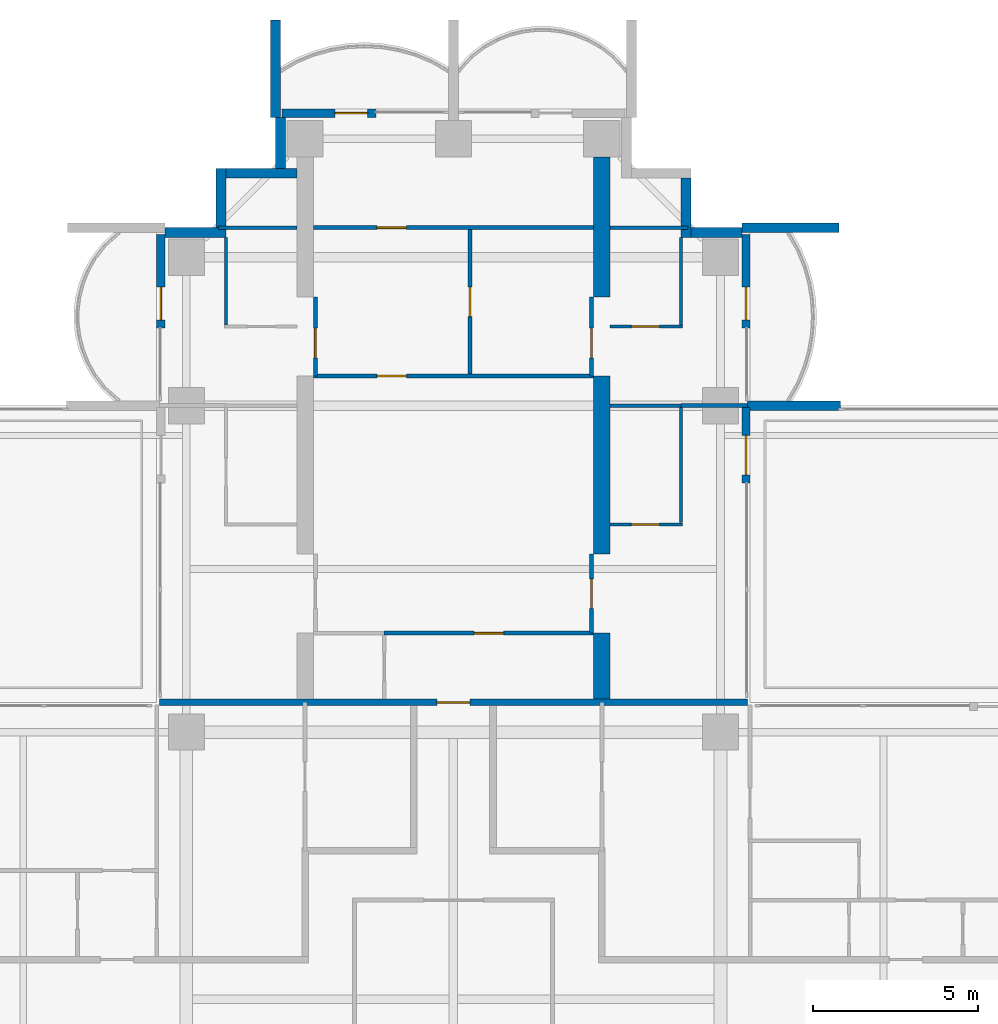
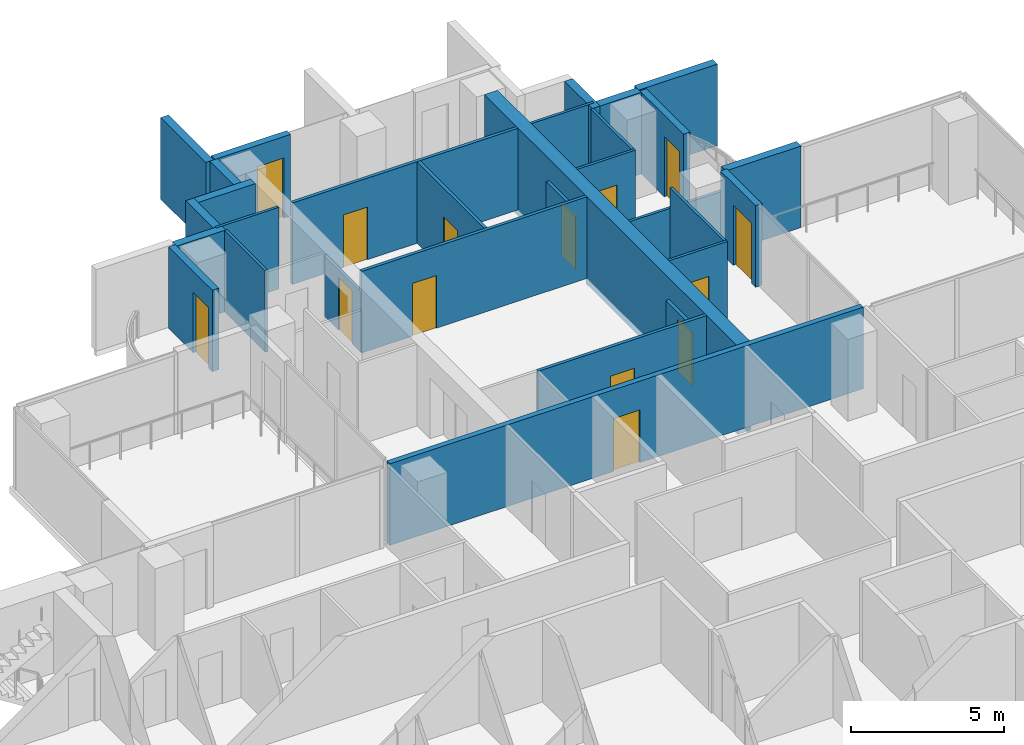
# One storey, part 14 of 19: 31 walls, 14 doors, 14 openings.
"""IFC4 building model written with IfcOpenShell, lengths in metres."""

from ifc_helpers import new_model, si_unit, direction, frame, frame_2d, origin, place, context, subcontext, project, spatial, polyline, rectangle, outline, extrude, material, layer, layer_set, material_profile, profile_set, type_object, element, fill, save


model = new_model("IFC4")

# Units and contexts
model_context = context("Model", 3, precision=1e-05, world=origin(), true_north=direction((0.0, 1.0)))
body_context = subcontext(model_context, "Body", "Model", "MODEL_VIEW")
ifc_project = project(units=[si_unit("LENGTHUNIT", "METRE"), si_unit("AREAUNIT", "SQUARE_METRE"), si_unit("VOLUMEUNIT", "CUBIC_METRE"), si_unit("PLANEANGLEUNIT", "RADIAN"), si_unit("MASSUNIT", "GRAM", prefix="KILO")], contexts=[model_context])

# Site, building, storey
site_placement = place(None, origin())
site = spatial("IfcSite", under=ifc_project, at=site_placement, CompositionType="ELEMENT")
building_placement = place(site_placement, origin())
building = spatial("IfcBuilding", under=site, at=building_placement, Name="Perihelion Cross Residences", CompositionType="ELEMENT")
storey_placement = place(building_placement, frame((0.0, 0.0, 144.39990234375)))
storey = spatial("IfcBuildingStorey", under=building, at=storey_placement, Name="L35", CompositionType="ELEMENT", Elevation=144.39990234375)

# Wall, opening, door
ifc_material_1 = material(Name="Plasterboard partition")
ifc_layer_1 = layer(ifc_material_1, 0.199951171875)
ifc_layer_set_1 = layer_set([ifc_layer_1], Name="Apartment separation wall 200")
wall_type_1 = type_object("IfcWallType", Name="Apartment separation wall 200", PredefinedType="PARTITIONING", material=ifc_layer_set_1)
wall_1_placement = place(storey_placement, frame((-8.919921875, 9.0, 0.0), z_axis=(0.0, 0.0, 1.0), x_axis=(1.0, 0.0, 0.0)))
wall_1 = element("IfcWall", 1, at=wall_1_placement, inside=storey, type_object=wall_type_1, Name="Partition L35 W021", PredefinedType="PARTITIONING", context=body_context, shape_type="SweptSolid", body=[
    extrude(rectangle(XDim=17.83984375, YDim=0.199951171875, at=frame_2d((8.919921875, 0.0))), origin(), (0.0, 0.0, 1.0), 3.25),
])
opening_1_placement = place(wall_1_placement, frame((8.419921875, 0.0, 0.0)))
opening_1 = element("IfcOpeningElement", 2, at=opening_1_placement, cuts=wall_1, Name="Opening L35.A34", PredefinedType="OPENING", context=body_context, shape_type="SweptSolid", body=[
    extrude(rectangle(XDim=1.0, YDim=2.10009765625, at=frame_2d((0.5, 1.050048828125))), frame((0.0, 0.10986328125, 0.0), z_axis=(0.0, -1.0, 0.0), x_axis=(1.0, 0.0, 0.0)), (0.0, 0.0, 1.0), 0.219970703125),
])
ifc_material_2 = material(Name="Timber door leaf", Category="wood")
door_type_1 = type_object("IfcDoorType", Name="Flat entrance door 1000 x 2100", OperationType="SINGLE_SWING_LEFT", PredefinedType="DOOR", material=ifc_material_2)
door_1_placement = place(opening_1_placement, origin())
door_1 = element("IfcDoor", 3, at=door_1_placement, inside=storey, type_object=door_type_1, Name="Door L35.A34", OperationType="SINGLE_SWING_RIGHT", OverallHeight=2.10009765625, OverallWidth=1.0, PredefinedType="DOOR", context=body_context, shape_type="SweptSolid", body=[
    extrude(rectangle(XDim=1.0, YDim=2.10009765625, at=frame_2d((0.5, 1.050048828125))), frame((0.0, 0.02490234375, 0.0), z_axis=(0.0, -1.0, 0.0), x_axis=(1.0, 0.0, 0.0)), (0.0, 0.0, 1.0), 0.050048828125),
])
fill(opening_1, door_1)

ifc_material_3 = material(Name="Concrete C30/37, bronze-clad", Category="concrete")
ifc_layer_2 = layer(ifc_material_3, 0.25)
ifc_layer_set_2 = layer_set([ifc_layer_2], Name="Bronze-clad pier wall 250")
wall_type_2 = type_object("IfcWallType", Name="Bronze-clad pier wall 250", PredefinedType="SOLIDWALL", material=ifc_layer_set_2)
wall_2_placement = place(storey_placement, frame((8.875, 15.64990234375, 0.0), z_axis=(0.0, 0.0, 1.0), x_axis=(0.0, 1.0, 0.0)))
wall_2 = element("IfcWall", 4, at=wall_2_placement, inside=storey, type_object=wall_type_2, Name="Wall FW1 L35 north side east bay 1 pier", PredefinedType="SOLIDWALL", context=body_context, shape_type="SweptSolid", body=[
    extrude(rectangle(XDim=2.2900390625, YDim=0.25, at=frame_2d((1.14501953125, 0.0))), origin(), (0.0, 0.0, 1.0), 3.25),
])
opening_2_placement = place(wall_2_placement, frame((0.25, 0.0, 0.0)))
opening_2 = element("IfcOpeningElement", 5, at=opening_2_placement, cuts=wall_2, Name="Opening L35.E02", PredefinedType="OPENING", context=body_context, shape_type="SweptSolid", body=[
    extrude(rectangle(XDim=1.199951171875, YDim=2.39990234375, at=frame_2d((0.60009765625, 1.199951171875))), frame((0.0, 0.135009765625, 0.0), z_axis=(0.0, -1.0, 0.0), x_axis=(1.0, 0.0, 0.0)), (0.0, 0.0, 1.0), 0.27001953125),
])
ifc_material_4 = material(Name="Bronze anodised aluminium, glazed", Category="aluminium")
door_type_2 = type_object("IfcDoorType", Name="Balcony door 1200 x 2400", OperationType="NOTDEFINED", PredefinedType="DOOR", material=ifc_material_4)
door_2_placement = place(opening_2_placement, origin())
door_2 = element("IfcDoor", 6, at=door_2_placement, inside=storey, type_object=door_type_2, Name="Door L35.E02 north side east bay 1", OperationType="SINGLE_SWING_LEFT", OverallHeight=2.39990234375, OverallWidth=1.199951171875, PredefinedType="DOOR", context=body_context, shape_type="SweptSolid", body=[
    extrude(rectangle(XDim=1.199951171875, YDim=2.39990234375, at=frame_2d((0.60009765625, 1.199951171875))), frame((0.0, 0.02490234375, 0.0), z_axis=(0.0, -1.0, 0.0), x_axis=(1.0, 0.0, 0.0)), (0.0, 0.0, 1.0), 0.050048828125),
])
fill(opening_2, door_2)

wall_3_placement = place(storey_placement, frame((8.875, 20.35009765625, 0.0), z_axis=(0.0, 0.0, 1.0), x_axis=(0.0, 1.0, 0.0)))
wall_3 = element("IfcWall", 7, at=wall_3_placement, inside=storey, type_object=wall_type_2, Name="Wall FW1 L35 north side east bay 2 pier", PredefinedType="SOLIDWALL", context=body_context, shape_type="SweptSolid", body=[
    extrude(rectangle(XDim=2.849853515625, YDim=0.25, at=frame_2d((1.4248046875, 0.0))), origin(), (0.0, 0.0, 1.0), 3.25),
])
opening_3_placement = place(wall_3_placement, frame((0.25, 0.0, 0.0)))
opening_3 = element("IfcOpeningElement", 8, at=opening_3_placement, cuts=wall_3, Name="Opening L35.E03", PredefinedType="OPENING", context=body_context, shape_type="SweptSolid", body=[
    extrude(rectangle(XDim=1.0, YDim=2.39990234375, at=frame_2d((0.5, 1.199951171875))), frame((0.0, 0.135009765625, 0.0), z_axis=(0.0, -1.0, 0.0), x_axis=(1.0, 0.0, 0.0)), (0.0, 0.0, 1.0), 0.27001953125),
])
ifc_material_5 = material(Name="Bronze anodised aluminium, glazed", Category="aluminium")
door_type_3 = type_object("IfcDoorType", Name="Balcony door 1000 x 2400", OperationType="NOTDEFINED", PredefinedType="DOOR", material=ifc_material_5)
door_3_placement = place(opening_3_placement, origin())
door_3 = element("IfcDoor", 9, at=door_3_placement, inside=storey, type_object=door_type_3, Name="Door L35.E03 north side east bay 2", OperationType="SINGLE_SWING_RIGHT", OverallHeight=2.39990234375, OverallWidth=1.0, PredefinedType="DOOR", context=body_context, shape_type="SweptSolid", body=[
    extrude(rectangle(XDim=1.0, YDim=2.39990234375, at=frame_2d((0.5, 1.199951171875))), frame((0.0, 0.02490234375, 0.0), z_axis=(0.0, -1.0, 0.0), x_axis=(1.0, 0.0, 0.0)), (0.0, 0.0, 1.0), 0.050048828125),
])
fill(opening_3, door_3)

wall_4_placement = place(storey_placement, frame((-2.35009765625, 26.875, 0.0), z_axis=(0.0, 0.0, 1.0), x_axis=(-1.0, 0.0, 0.0)))
wall_4 = element("IfcWall", 10, at=wall_4_placement, inside=storey, type_object=wall_type_2, Name="Wall FW1 L35 north tip north bay 2 pier", PredefinedType="SOLIDWALL", context=body_context, shape_type="SweptSolid", body=[
    extrude(rectangle(XDim=2.849853515625, YDim=0.25, at=frame_2d((1.4248046875, 0.0))), origin(), (0.0, 0.0, 1.0), 3.25),
])
opening_4_placement = place(wall_4_placement, frame((0.25, 0.0, 0.0)))
opening_4 = element("IfcOpeningElement", 11, at=opening_4_placement, cuts=wall_4, Name="Opening L35.E05", PredefinedType="OPENING", context=body_context, shape_type="SweptSolid", body=[
    extrude(rectangle(XDim=1.0, YDim=2.39990234375, at=frame_2d((0.5, 1.199951171875))), frame((0.0, 0.135009765625, 0.0), z_axis=(0.0, -1.0, 0.0), x_axis=(1.0, 0.0, 0.0)), (0.0, 0.0, 1.0), 0.27001953125),
])
door_4_placement = place(opening_4_placement, origin())
door_4 = element("IfcDoor", 12, at=door_4_placement, inside=storey, type_object=door_type_3, Name="Door L35.E05 north tip north bay 2", OperationType="SINGLE_SWING_RIGHT", OverallHeight=2.39990234375, OverallWidth=1.0, PredefinedType="DOOR", context=body_context, shape_type="SweptSolid", body=[
    extrude(rectangle(XDim=1.0, YDim=2.39990234375, at=frame_2d((0.5, 1.199951171875))), frame((0.0, 0.02490234375, 0.0), z_axis=(0.0, -1.0, 0.0), x_axis=(1.0, 0.0, 0.0)), (0.0, 0.0, 1.0), 0.050048828125),
])
fill(opening_4, door_4)

wall_5_placement = place(storey_placement, frame((-8.875, 23.199951171875, 0.0), z_axis=(0.0, 0.0, 1.0), x_axis=(0.0, -1.0, 0.0)))
wall_5 = element("IfcWall", 13, at=wall_5_placement, inside=storey, type_object=wall_type_2, Name="Wall FW1 L35 north side west bay 1 pier", PredefinedType="SOLIDWALL", context=body_context, shape_type="SweptSolid", body=[
    extrude(rectangle(XDim=2.849853515625, YDim=0.25, at=frame_2d((1.4248046875, 0.0))), origin(), (0.0, 0.0, 1.0), 3.25),
])
opening_5_placement = place(wall_5_placement, frame((1.60009765625, 0.0, 0.0)))
opening_5 = element("IfcOpeningElement", 14, at=opening_5_placement, cuts=wall_5, Name="Opening L35.E06", PredefinedType="OPENING", context=body_context, shape_type="SweptSolid", body=[
    extrude(rectangle(XDim=1.0, YDim=2.39990234375, at=frame_2d((0.5, 1.199951171875))), frame((0.0, 0.135009765625, 0.0), z_axis=(0.0, -1.0, 0.0), x_axis=(1.0, 0.0, 0.0)), (0.0, 0.0, 1.0), 0.27001953125),
])
door_5_placement = place(opening_5_placement, origin())
door_5 = element("IfcDoor", 15, at=door_5_placement, inside=storey, type_object=door_type_3, Name="Door L35.E06 north side west bay 1", OperationType="SINGLE_SWING_LEFT", OverallHeight=2.39990234375, OverallWidth=1.0, PredefinedType="DOOR", context=body_context, shape_type="SweptSolid", body=[
    extrude(rectangle(XDim=1.0, YDim=2.39990234375, at=frame_2d((0.5, 1.199951171875))), frame((0.0, 0.02490234375, 0.0), z_axis=(0.0, -1.0, 0.0), x_axis=(1.0, 0.0, 0.0)), (0.0, 0.0, 1.0), 0.050048828125),
])
fill(opening_5, door_5)

# Walls
ifc_material_6 = material(Name="Concrete C30/37, bronze-clad", Category="concrete")
ifc_layer_3 = layer(ifc_material_6, 0.300048828125)
ifc_layer_set_3 = layer_set([ifc_layer_3], Name="Bronze-clad serration wall 300")
wall_type_3 = type_object("IfcWallType", Name="Bronze-clad serration wall 300", PredefinedType="SOLIDWALL", material=ifc_layer_set_3)
wall_6_placement = place(storey_placement, frame((8.75, 23.25, 0.0), z_axis=(0.0, 0.0, 1.0), x_axis=(-1.0, 0.0, 0.0)))
element("IfcWall", 16, at=wall_6_placement, inside=storey, type_object=wall_type_3, Name="Wall SR1 L35 north corner north-east 1", PredefinedType="SOLIDWALL", context=body_context, shape_type="SweptSolid", body=[
    extrude(rectangle(XDim=1.550048828125, YDim=0.300048828125, at=frame_2d((0.77490234375, 0.0))), origin(), (0.0, 0.0, 1.0), 3.25),
])
wall_7_placement = place(storey_placement, frame((7.050048828125, 23.10009765625, 0.0), z_axis=(0.0, 0.0, 1.0), x_axis=(0.0, 1.0, 0.0)))
element("IfcWall", 17, at=wall_7_placement, inside=storey, type_object=wall_type_3, Name="Wall SR1 L35 north corner north-east 2", PredefinedType="SOLIDWALL", context=body_context, shape_type="SweptSolid", body=[
    extrude(rectangle(XDim=1.7998046875, YDim=0.300048828125, at=frame_2d((0.89990234375, 0.0))), origin(), (0.0, 0.0, 1.0), 3.25),
])
wall_8_placement = place(storey_placement, frame((-5.25, 26.75, 0.0), z_axis=(0.0, 0.0, 1.0), x_axis=(0.0, -1.0, 0.0)))
element("IfcWall", 18, at=wall_8_placement, inside=storey, type_object=wall_type_3, Name="Wall SR1 L35 north corner north-west 1", PredefinedType="SOLIDWALL", context=body_context, shape_type="SweptSolid", body=[
    extrude(rectangle(XDim=1.550048828125, YDim=0.300048828125, at=frame_2d((0.77490234375, 0.0))), origin(), (0.0, 0.0, 1.0), 3.25),
])
wall_9_placement = place(storey_placement, frame((-4.75, 25.050048828125, 0.0), z_axis=(0.0, 0.0, 1.0), x_axis=(-1.0, 0.0, 0.0)))
element("IfcWall", 19, at=wall_9_placement, inside=storey, type_object=wall_type_3, Name="Wall SR1 L35 north corner north-west 2", PredefinedType="SOLIDWALL", context=body_context, shape_type="SweptSolid", body=[
    extrude(rectangle(XDim=2.14990234375, YDim=0.300048828125, at=frame_2d((1.074951171875, 0.0))), origin(), (0.0, 0.0, 1.0), 3.25),
])
wall_10_placement = place(storey_placement, frame((-7.050048828125, 25.199951171875, 0.0), z_axis=(0.0, 0.0, 1.0), x_axis=(0.0, -1.0, 0.0)))
element("IfcWall", 20, at=wall_10_placement, inside=storey, type_object=wall_type_3, Name="Wall SR1 L35 north corner north-west 3", PredefinedType="SOLIDWALL", context=body_context, shape_type="SweptSolid", body=[
    extrude(rectangle(XDim=1.800048828125, YDim=0.300048828125, at=frame_2d((0.89990234375, 0.0))), origin(), (0.0, 0.0, 1.0), 3.25),
])
wall_11_placement = place(storey_placement, frame((-6.89990234375, 23.25, 0.0), z_axis=(0.0, 0.0, 1.0), x_axis=(-1.0, 0.0, 0.0)))
element("IfcWall", 21, at=wall_11_placement, inside=storey, type_object=wall_type_3, Name="Wall SR1 L35 north corner north-west 4", PredefinedType="SOLIDWALL", context=body_context, shape_type="SweptSolid", body=[
    extrude(rectangle(XDim=1.85009765625, YDim=0.300048828125, at=frame_2d((0.925048828125, 0.0))), origin(), (0.0, 0.0, 1.0), 3.25),
])

# Wall, opening, door
ifc_material_7 = material(Name="Plasterboard partition")
ifc_layer_4 = layer(ifc_material_7, 0.1201171875)
ifc_layer_set_4 = layer_set([ifc_layer_4], Name="Infill panel 120")
wall_type_4 = type_object("IfcWallType", Name="Infill panel 120", PredefinedType="PARTITIONING", material=ifc_layer_set_4)
wall_12_placement = place(storey_placement, frame((4.18994140625, 11.10009765625, 0.0), z_axis=(0.0, 0.0, 1.0), x_axis=(0.0, 1.0, 0.0)))
wall_12 = element("IfcWall", 22, at=wall_12_placement, inside=storey, type_object=wall_type_4, Name="Partition L35 WI01", PredefinedType="PARTITIONING", context=body_context, shape_type="SweptSolid", body=[
    extrude(rectangle(XDim=2.39990234375, YDim=0.1201171875, at=frame_2d((1.199951171875, 0.0))), origin(), (0.0, 0.0, 1.0), 2.400146484375),
])
opening_6_placement = place(wall_12_placement, frame((0.75, 0.0, 0.0)))
opening_6 = element("IfcOpeningElement", 23, at=opening_6_placement, cuts=wall_12, Name="Opening L35.A54", PredefinedType="OPENING", context=body_context, shape_type="SweptSolid", body=[
    extrude(rectangle(XDim=0.89990234375, YDim=2.10009765625, at=frame_2d((0.449951171875, 1.050048828125))), frame((0.0, 0.070068359375, 0.0), z_axis=(0.0, -1.0, 0.0), x_axis=(1.0, 0.0, 0.0)), (0.0, 0.0, 1.0), 0.14013671875),
])
ifc_material_8 = material(Name="Timber door leaf", Category="wood")
door_type_4 = type_object("IfcDoorType", Name="Interior room door 900 x 2100", OperationType="SINGLE_SWING_LEFT", PredefinedType="DOOR", material=ifc_material_8)
door_6_placement = place(opening_6_placement, origin())
door_6 = element("IfcDoor", 24, at=door_6_placement, inside=storey, type_object=door_type_4, Name="Door L35.A54", OperationType="SINGLE_SWING_RIGHT", OverallHeight=2.10009765625, OverallWidth=0.89990234375, PredefinedType="DOOR", context=body_context, shape_type="SweptSolid", body=[
    extrude(rectangle(XDim=0.89990234375, YDim=2.10009765625, at=frame_2d((0.449951171875, 1.050048828125))), frame((0.0, 0.02490234375, 0.0), z_axis=(0.0, -1.0, 0.0), x_axis=(1.0, 0.0, 0.0)), (0.0, 0.0, 1.0), 0.050048828125),
])
fill(opening_6, door_6)

wall_13_placement = place(storey_placement, frame((4.18994140625, 18.89990234375, 0.0), z_axis=(0.0, 0.0, 1.0), x_axis=(0.0, 1.0, 0.0)))
wall_13 = element("IfcWall", 25, at=wall_13_placement, inside=storey, type_object=wall_type_4, Name="Partition L35 WI02", PredefinedType="PARTITIONING", context=body_context, shape_type="SweptSolid", body=[
    extrude(rectangle(XDim=2.400146484375, YDim=0.1201171875, at=frame_2d((1.2001953125, 0.0))), origin(), (0.0, 0.0, 1.0), 2.400146484375),
])
opening_7_placement = place(wall_13_placement, frame((0.550048828125, 0.0, 0.0)))
opening_7 = element("IfcOpeningElement", 26, at=opening_7_placement, cuts=wall_13, Name="Opening L35.A55", PredefinedType="OPENING", context=body_context, shape_type="SweptSolid", body=[
    extrude(rectangle(XDim=0.89990234375, YDim=2.10009765625, at=frame_2d((0.449951171875, 1.050048828125))), frame((0.0, 0.070068359375, 0.0), z_axis=(0.0, -1.0, 0.0), x_axis=(1.0, 0.0, 0.0)), (0.0, 0.0, 1.0), 0.14013671875),
])
door_7_placement = place(opening_7_placement, origin())
door_7 = element("IfcDoor", 27, at=door_7_placement, inside=storey, type_object=door_type_4, Name="Door L35.A55", OperationType="SINGLE_SWING_LEFT", OverallHeight=2.10009765625, OverallWidth=0.89990234375, PredefinedType="DOOR", context=body_context, shape_type="SweptSolid", body=[
    extrude(rectangle(XDim=0.89990234375, YDim=2.10009765625, at=frame_2d((0.449951171875, 1.050048828125))), frame((0.0, 0.02490234375, 0.0), z_axis=(0.0, -1.0, 0.0), x_axis=(1.0, 0.0, 0.0)), (0.0, 0.0, 1.0), 0.050048828125),
])
fill(opening_7, door_7)

wall_14_placement = place(storey_placement, frame((-4.18994140625, 18.89990234375, 0.0), z_axis=(0.0, 0.0, 1.0), x_axis=(0.0, 1.0, 0.0)))
wall_14 = element("IfcWall", 28, at=wall_14_placement, inside=storey, type_object=wall_type_4, Name="Partition L35 WI04", PredefinedType="PARTITIONING", context=body_context, shape_type="SweptSolid", body=[
    extrude(rectangle(XDim=2.400146484375, YDim=0.1201171875, at=frame_2d((1.2001953125, 0.0))), origin(), (0.0, 0.0, 1.0), 2.400146484375),
])
opening_8_placement = place(wall_14_placement, frame((0.550048828125, 0.0, 0.0)))
opening_8 = element("IfcOpeningElement", 29, at=opening_8_placement, cuts=wall_14, Name="Opening L35.A57", PredefinedType="OPENING", context=body_context, shape_type="SweptSolid", body=[
    extrude(rectangle(XDim=0.89990234375, YDim=2.10009765625, at=frame_2d((0.449951171875, 1.050048828125))), frame((0.0, 0.070068359375, 0.0), z_axis=(0.0, -1.0, 0.0), x_axis=(1.0, 0.0, 0.0)), (0.0, 0.0, 1.0), 0.14013671875),
])
door_8_placement = place(opening_8_placement, origin())
door_8 = element("IfcDoor", 30, at=door_8_placement, inside=storey, type_object=door_type_4, Name="Door L35.A57", OperationType="SINGLE_SWING_RIGHT", OverallHeight=2.10009765625, OverallWidth=0.89990234375, PredefinedType="DOOR", context=body_context, shape_type="SweptSolid", body=[
    extrude(rectangle(XDim=0.89990234375, YDim=2.10009765625, at=frame_2d((0.449951171875, 1.050048828125))), frame((0.0, 0.02490234375, 0.0), z_axis=(0.0, -1.0, 0.0), x_axis=(1.0, 0.0, 0.0)), (0.0, 0.0, 1.0), 0.050048828125),
])
fill(opening_8, door_8)

ifc_material_9 = material(Name="Plasterboard partition")
ifc_layer_5 = layer(ifc_material_9, 0.1201171875)
ifc_layer_set_5 = layer_set([ifc_layer_5], Name="Partition wall 120")
wall_type_5 = type_object("IfcWallType", Name="Partition wall 120", PredefinedType="PARTITIONING", material=ifc_layer_set_5)
wall_15_placement = place(storey_placement, frame((-2.10009765625, 11.10009765625, 0.0), z_axis=(0.0, 0.0, 1.0), x_axis=(1.0, 0.0, 0.0)))
wall_15 = element("IfcWall", 31, at=wall_15_placement, inside=storey, type_object=wall_type_5, Name="Partition L35 W068", PredefinedType="PARTITIONING", context=body_context, shape_type="SweptSolid", body=[
    extrude(rectangle(XDim=6.35009765625, YDim=0.1201171875, at=frame_2d((3.175048828125, 0.0))), origin(), (0.0, 0.0, 1.0), 3.25),
])
opening_9_placement = place(wall_15_placement, frame((2.72509765625, 0.0, 0.0)))
opening_9 = element("IfcOpeningElement", 32, at=opening_9_placement, cuts=wall_15, Name="Opening L35.A36", PredefinedType="OPENING", context=body_context, shape_type="SweptSolid", body=[
    extrude(rectangle(XDim=0.89990234375, YDim=2.10009765625, at=frame_2d((0.449951171875, 1.050048828125))), frame((0.0, 0.070068359375, 0.0), z_axis=(0.0, -1.0, 0.0), x_axis=(1.0, 0.0, 0.0)), (0.0, 0.0, 1.0), 0.14013671875),
])
door_9_placement = place(opening_9_placement, origin())
door_9 = element("IfcDoor", 33, at=door_9_placement, inside=storey, type_object=door_type_4, Name="Door L35.A36", OperationType="SINGLE_SWING_RIGHT", OverallHeight=2.10009765625, OverallWidth=0.89990234375, PredefinedType="DOOR", context=body_context, shape_type="SweptSolid", body=[
    extrude(rectangle(XDim=0.89990234375, YDim=2.10009765625, at=frame_2d((0.449951171875, 1.050048828125))), frame((0.0, 0.02490234375, 0.0), z_axis=(0.0, -1.0, 0.0), x_axis=(1.0, 0.0, 0.0)), (0.0, 0.0, 1.0), 0.050048828125),
])
fill(opening_9, door_9)

wall_16_placement = place(storey_placement, frame((-4.25, 18.89990234375, 0.0), z_axis=(0.0, 0.0, 1.0), x_axis=(1.0, 0.0, 0.0)))
wall_16 = element("IfcWall", 34, at=wall_16_placement, inside=storey, type_object=wall_type_5, Name="Partition L35 W070", PredefinedType="PARTITIONING", context=body_context, shape_type="SweptSolid", body=[
    extrude(rectangle(XDim=8.5, YDim=0.1201171875, at=frame_2d((4.25, 0.0))), origin(), (0.0, 0.0, 1.0), 3.25),
])
opening_10_placement = place(wall_16_placement, frame((1.925048828125, 0.0, 0.0)))
opening_10 = element("IfcOpeningElement", 35, at=opening_10_placement, cuts=wall_16, Name="Opening L35.A37", PredefinedType="OPENING", context=body_context, shape_type="SweptSolid", body=[
    extrude(rectangle(XDim=0.89990234375, YDim=2.10009765625, at=frame_2d((0.449951171875, 1.050048828125))), frame((0.0, 0.070068359375, 0.0), z_axis=(0.0, -1.0, 0.0), x_axis=(1.0, 0.0, 0.0)), (0.0, 0.0, 1.0), 0.14013671875),
])
door_10_placement = place(opening_10_placement, origin())
door_10 = element("IfcDoor", 36, at=door_10_placement, inside=storey, type_object=door_type_4, Name="Door L35.A37", OperationType="SINGLE_SWING_RIGHT", OverallHeight=2.10009765625, OverallWidth=0.89990234375, PredefinedType="DOOR", context=body_context, shape_type="SweptSolid", body=[
    extrude(rectangle(XDim=0.89990234375, YDim=2.10009765625, at=frame_2d((0.449951171875, 1.050048828125))), frame((0.0, 0.02490234375, 0.0), z_axis=(0.0, -1.0, 0.0), x_axis=(1.0, 0.0, 0.0)), (0.0, 0.0, 1.0), 0.050048828125),
])
fill(opening_10, door_10)

wall_17_placement = place(storey_placement, frame((0.5, 23.340087890625, 0.0), z_axis=(0.0, 0.0, 1.0), x_axis=(0.0, -1.0, 0.0)))
wall_17 = element("IfcWall", 37, at=wall_17_placement, inside=storey, type_object=wall_type_5, Name="Partition L35 W071", PredefinedType="PARTITIONING", context=body_context, shape_type="SweptSolid", body=[
    extrude(rectangle(XDim=4.380126953125, YDim=0.1201171875, at=frame_2d((2.18994140625, 0.0))), origin(), (0.0, 0.0, 1.0), 3.25),
])
opening_11_placement = place(wall_17_placement, frame((1.739990234375, 0.0, 0.0)))
opening_11 = element("IfcOpeningElement", 38, at=opening_11_placement, cuts=wall_17, Name="Opening L35.A38", PredefinedType="OPENING", context=body_context, shape_type="SweptSolid", body=[
    extrude(rectangle(XDim=0.89990234375, YDim=2.10009765625, at=frame_2d((0.449951171875, 1.050048828125))), frame((0.0, 0.070068359375, 0.0), z_axis=(0.0, -1.0, 0.0), x_axis=(1.0, 0.0, 0.0)), (0.0, 0.0, 1.0), 0.14013671875),
])
door_11_placement = place(opening_11_placement, origin())
door_11 = element("IfcDoor", 39, at=door_11_placement, inside=storey, type_object=door_type_4, Name="Door L35.A38", OperationType="SINGLE_SWING_LEFT", OverallHeight=2.10009765625, OverallWidth=0.89990234375, PredefinedType="DOOR", context=body_context, shape_type="SweptSolid", body=[
    extrude(rectangle(XDim=0.89990234375, YDim=2.10009765625, at=frame_2d((0.449951171875, 1.050048828125))), frame((0.0, 0.02490234375, 0.0), z_axis=(0.0, -1.0, 0.0), x_axis=(1.0, 0.0, 0.0)), (0.0, 0.0, 1.0), 0.050048828125),
])
fill(opening_11, door_11)

wall_18_placement = place(storey_placement, frame((-4.25, 23.39990234375, 0.0), z_axis=(0.0, 0.0, 1.0), x_axis=(1.0, 0.0, 0.0)))
wall_18 = element("IfcWall", 40, at=wall_18_placement, inside=storey, type_object=wall_type_5, Name="Partition L35 W072", PredefinedType="PARTITIONING", context=body_context, shape_type="SweptSolid", body=[
    extrude(rectangle(XDim=8.5, YDim=0.1201171875, at=frame_2d((4.25, 0.0))), origin(), (0.0, 0.0, 1.0), 3.25),
])
opening_12_placement = place(wall_18_placement, frame((1.925048828125, 0.0, 0.0)))
opening_12 = element("IfcOpeningElement", 41, at=opening_12_placement, cuts=wall_18, Name="Opening L35.A39", PredefinedType="OPENING", context=body_context, shape_type="SweptSolid", body=[
    extrude(rectangle(XDim=0.89990234375, YDim=2.10009765625, at=frame_2d((0.449951171875, 1.050048828125))), frame((0.0, 0.070068359375, 0.0), z_axis=(0.0, -1.0, 0.0), x_axis=(1.0, 0.0, 0.0)), (0.0, 0.0, 1.0), 0.14013671875),
])
door_12_placement = place(opening_12_placement, origin())
door_12 = element("IfcDoor", 42, at=door_12_placement, inside=storey, type_object=door_type_4, Name="Door L35.A39", OperationType="SINGLE_SWING_LEFT", OverallHeight=2.10009765625, OverallWidth=0.89990234375, PredefinedType="DOOR", context=body_context, shape_type="SweptSolid", body=[
    extrude(rectangle(XDim=0.89990234375, YDim=2.10009765625, at=frame_2d((0.449951171875, 1.050048828125))), frame((0.0, 0.02490234375, 0.0), z_axis=(0.0, -1.0, 0.0), x_axis=(1.0, 0.0, 0.0)), (0.0, 0.0, 1.0), 0.050048828125),
])
fill(opening_12, door_12)

# Walls
wall_19_placement = place(storey_placement, frame((6.89990234375, 18.0, 0.0), z_axis=(0.0, 0.0, 1.0), x_axis=(1.0, 0.0, 0.0)))
element("IfcWall", 43, at=wall_19_placement, inside=storey, type_object=wall_type_5, Name="Partition L35 W075", PredefinedType="PARTITIONING", context=body_context, shape_type="SweptSolid", body=[
    extrude(rectangle(XDim=2.02001953125, YDim=0.1201171875, at=frame_2d((1.010009765625, 0.0))), origin(), (0.0, 0.0, 1.0), 2.4140625),
])
ifc_material_10 = material(Name="Precast concrete C50/60", Category="concrete")
ifc_layer_6 = layer(ifc_material_10, 0.300048828125)
ifc_layer_set_6 = layer_set([ifc_layer_6], Name="Precast concrete C50/60 blade wall 300")
wall_type_6 = type_object("IfcWallType", Name="Precast concrete C50/60 blade wall 300", PredefinedType="SOLIDWALL", material=ifc_layer_set_6)
wall_20_placement = place(storey_placement, frame((-5.39990234375, 26.75, 0.0), z_axis=(0.0, 0.0, 1.0), x_axis=(0.0, 1.0, 0.0)))
element("IfcWall", 44, at=wall_20_placement, inside=storey, type_object=wall_type_6, Name="Wall BL1 L35 no. 4", PredefinedType="SOLIDWALL", context=body_context, shape_type="SweptSolid", body=[
    extrude(rectangle(XDim=2.949951171875, YDim=0.300048828125, at=frame_2d((1.47509765625, 0.0))), origin(), (0.0, 0.0, 1.0), 3.25),
])
wall_21_placement = place(storey_placement, frame((8.919921875, 18.0, 0.0), z_axis=(0.0, 0.0, 1.0), x_axis=(1.0, 0.0, 0.0)))
element("IfcWall", 45, at=wall_21_placement, inside=storey, type_object=wall_type_6, Name="Wall BL1 L35 no. 15", PredefinedType="SOLIDWALL", context=body_context, shape_type="SweptSolid", body=[
    extrude(rectangle(XDim=2.820068359375, YDim=0.300048828125, at=frame_2d((1.41015625, 0.0))), origin(), (0.0, 0.0, 1.0), 3.25),
])
wall_22_placement = place(storey_placement, frame((8.75, 23.39990234375, 0.0), z_axis=(0.0, 0.0, 1.0), x_axis=(1.0, 0.0, 0.0)))
element("IfcWall", 46, at=wall_22_placement, inside=storey, type_object=wall_type_6, Name="Wall BL1 L35 no. 16", PredefinedType="SOLIDWALL", context=body_context, shape_type="SweptSolid", body=[
    extrude(rectangle(XDim=2.949951171875, YDim=0.300048828125, at=frame_2d((1.47509765625, 0.0))), origin(), (0.0, 0.0, 1.0), 3.25),
])
ifc_material_11 = material(Name="Concrete C60/75", Category="concrete")
ifc_material_profile = material_profile(ifc_material_11, outline(polyline([(0.0, 0.0), (2.10009765625, 0.0), (2.10009765625, 2.64990234375), (4.5, 2.64990234375), (4.5, 0.0), (9.89990234375, 0.0), (9.89990234375, 2.64990234375), (12.300048828125, 2.64990234375), (12.300048828125, 0.0), (16.550048828125, 0.0), (16.550048828125, 3.5), (0.0, 3.5), (0.0, 0.0)])), Name="Tip spine wall")
ifc_profile_set = profile_set([ifc_material_profile], Name="Concrete C60/75")
wall_type_7 = type_object("IfcWallType", Name="Tip spine wall 500 with 2 door openings 16550 long 3500 high concrete C60/75", PredefinedType="SHEAR", material=ifc_profile_set)
wall_23_placement = place(storey_placement, frame((4.25, 9.0, -0.25), z_axis=(1.0, 0.0, 0.0), x_axis=(0.0, 1.0, 0.0)))
element("IfcWall", 47, at=wall_23_placement, inside=storey, type_object=wall_type_7, Name="Shear wall SW34 L35 north east", PredefinedType="SHEAR", context=body_context, shape_type="SweptSolid", body=[
    extrude(outline(polyline([(0.0, 0.0), (2.10009765625, 0.0), (2.10009765625, 2.64990234375), (4.5, 2.64990234375), (4.5, 0.0), (9.89990234375, 0.0), (9.89990234375, 2.64990234375), (12.300048828125, 2.64990234375), (12.300048828125, 0.0), (16.550048828125, 0.0), (16.550048828125, 3.5), (0.0, 3.5), (0.0, 0.0)])), origin(), (0.0, 0.0, 1.0), 0.5),
])

# Wall, opening, door
ifc_material_12 = material(Name="Plasterboard partition")
ifc_layer_7 = layer(ifc_material_12, 0.10009765625)
ifc_layer_set_7 = layer_set([ifc_layer_7], Name="Wet room wall 100")
wall_type_8 = type_object("IfcWallType", Name="Wet room wall 100", PredefinedType="PARTITIONING", material=ifc_layer_set_7)
wall_24_placement = place(storey_placement, frame((4.75, 14.39990234375, 0.0), z_axis=(0.0, 0.0, 1.0), x_axis=(1.0, 0.0, 0.0)))
wall_24 = element("IfcWall", 48, at=wall_24_placement, inside=storey, type_object=wall_type_8, Name="Partition L35 W073", PredefinedType="PARTITIONING", context=body_context, shape_type="SweptSolid", body=[
    extrude(rectangle(XDim=2.199951171875, YDim=0.10009765625, at=frame_2d((1.10009765625, 0.0))), origin(), (0.0, 0.0, 1.0), 3.25),
])
opening_13_placement = place(wall_24_placement, frame((0.64990234375, 0.0, 0.0)))
opening_13 = element("IfcOpeningElement", 49, at=opening_13_placement, cuts=wall_24, Name="Opening L35.A40", PredefinedType="OPENING", context=body_context, shape_type="SweptSolid", body=[
    extrude(rectangle(XDim=0.85009765625, YDim=2.10009765625, at=frame_2d((0.425048828125, 1.050048828125))), frame((0.0, 0.06005859375, 0.0), z_axis=(0.0, -1.0, 0.0), x_axis=(1.0, 0.0, 0.0)), (0.0, 0.0, 1.0), 0.1201171875),
])
ifc_material_13 = material(Name="Timber door leaf", Category="wood")
door_type_5 = type_object("IfcDoorType", Name="Interior bathroom door 850 x 2100", OperationType="SINGLE_SWING_LEFT", PredefinedType="DOOR", material=ifc_material_13)
door_13_placement = place(opening_13_placement, origin())
door_13 = element("IfcDoor", 50, at=door_13_placement, inside=storey, type_object=door_type_5, Name="Door L35.A40", OperationType="SINGLE_SWING_RIGHT", OverallHeight=2.10009765625, OverallWidth=0.85009765625, PredefinedType="DOOR", context=body_context, shape_type="SweptSolid", body=[
    extrude(rectangle(XDim=0.85009765625, YDim=2.10009765625, at=frame_2d((0.425048828125, 1.050048828125))), frame((0.0, 0.02490234375, 0.0), z_axis=(0.0, -1.0, 0.0), x_axis=(1.0, 0.0, 0.0)), (0.0, 0.0, 1.0), 0.050048828125),
])
fill(opening_13, door_13)

# Walls
wall_25_placement = place(storey_placement, frame((6.89990234375, 14.449951171875, 0.0), z_axis=(0.0, 0.0, 1.0), x_axis=(0.0, 1.0, 0.0)))
element("IfcWall", 51, at=wall_25_placement, inside=storey, type_object=wall_type_8, Name="Partition L35 W074", PredefinedType="PARTITIONING", context=body_context, shape_type="SweptSolid", body=[
    extrude(rectangle(XDim=3.489990234375, YDim=0.10009765625, at=frame_2d((1.7451171875, 0.0))), origin(), (0.0, 0.0, 1.0), 3.25),
])
wall_26_placement = place(storey_placement, frame((4.75, 18.0, 0.0), z_axis=(0.0, 0.0, 1.0), x_axis=(1.0, 0.0, 0.0)))
element("IfcWall", 52, at=wall_26_placement, inside=storey, type_object=wall_type_8, Name="Partition L35 W076", PredefinedType="PARTITIONING", context=body_context, shape_type="SweptSolid", body=[
    extrude(rectangle(XDim=2.14990234375, YDim=0.10009765625, at=frame_2d((1.074951171875, 0.0))), origin(), (0.0, 0.0, 1.0), 2.4140625),
])

# Wall, opening, door
wall_27_placement = place(storey_placement, frame((4.75, 20.39990234375, 0.0), z_axis=(0.0, 0.0, 1.0), x_axis=(1.0, 0.0, 0.0)))
wall_27 = element("IfcWall", 53, at=wall_27_placement, inside=storey, type_object=wall_type_8, Name="Partition L35 W077", PredefinedType="PARTITIONING", context=body_context, shape_type="SweptSolid", body=[
    extrude(rectangle(XDim=2.199951171875, YDim=0.10009765625, at=frame_2d((1.10009765625, 0.0))), origin(), (0.0, 0.0, 1.0), 3.25),
])
opening_14_placement = place(wall_27_placement, frame((0.64990234375, 0.0, 0.0)))
opening_14 = element("IfcOpeningElement", 54, at=opening_14_placement, cuts=wall_27, Name="Opening L35.A41", PredefinedType="OPENING", context=body_context, shape_type="SweptSolid", body=[
    extrude(rectangle(XDim=0.85009765625, YDim=2.10009765625, at=frame_2d((0.425048828125, 1.050048828125))), frame((0.0, 0.06005859375, 0.0), z_axis=(0.0, -1.0, 0.0), x_axis=(1.0, 0.0, 0.0)), (0.0, 0.0, 1.0), 0.1201171875),
])
door_14_placement = place(opening_14_placement, origin())
door_14 = element("IfcDoor", 55, at=door_14_placement, inside=storey, type_object=door_type_5, Name="Door L35.A41", OperationType="SINGLE_SWING_LEFT", OverallHeight=2.10009765625, OverallWidth=0.85009765625, PredefinedType="DOOR", context=body_context, shape_type="SweptSolid", body=[
    extrude(rectangle(XDim=0.85009765625, YDim=2.10009765625, at=frame_2d((0.425048828125, 1.050048828125))), frame((0.0, 0.02490234375, 0.0), z_axis=(0.0, -1.0, 0.0), x_axis=(1.0, 0.0, 0.0)), (0.0, 0.0, 1.0), 0.050048828125),
])
fill(opening_14, door_14)

# Walls
wall_28_placement = place(storey_placement, frame((6.89990234375, 20.449951171875, 0.0), z_axis=(0.0, 0.0, 1.0), x_axis=(0.0, 1.0, 0.0)))
element("IfcWall", 56, at=wall_28_placement, inside=storey, type_object=wall_type_8, Name="Partition L35 W078", PredefinedType="PARTITIONING", context=body_context, shape_type="SweptSolid", body=[
    extrude(rectangle(XDim=2.650146484375, YDim=0.10009765625, at=frame_2d((1.3251953125, 0.0))), origin(), (0.0, 0.0, 1.0), 3.25),
])
wall_29_placement = place(storey_placement, frame((4.75, 23.39990234375, 0.0), z_axis=(0.0, 0.0, 1.0), x_axis=(1.0, 0.0, 0.0)))
element("IfcWall", 57, at=wall_29_placement, inside=storey, type_object=wall_type_8, Name="Partition L35 W079", PredefinedType="PARTITIONING", context=body_context, shape_type="SweptSolid", body=[
    extrude(rectangle(XDim=2.3701171875, YDim=0.10009765625, at=frame_2d((1.18505859375, 0.0))), origin(), (0.0, 0.0, 1.0), 3.25),
])
wall_30_placement = place(storey_placement, frame((-6.89990234375, 23.10009765625, 0.0), z_axis=(0.0, 0.0, 1.0), x_axis=(0.0, -1.0, 0.0)))
element("IfcWall", 58, at=wall_30_placement, inside=storey, type_object=wall_type_8, Name="Partition L35 W084", PredefinedType="PARTITIONING", context=body_context, shape_type="SweptSolid", body=[
    extrude(rectangle(XDim=2.650146484375, YDim=0.10009765625, at=frame_2d((1.3251953125, 0.0))), origin(), (0.0, 0.0, 1.0), 3.25),
])
wall_31_placement = place(storey_placement, frame((-7.1201171875, 23.39990234375, 0.0), z_axis=(0.0, 0.0, 1.0), x_axis=(1.0, 0.0, 0.0)))
element("IfcWall", 59, at=wall_31_placement, inside=storey, type_object=wall_type_8, Name="Partition L35 W086", PredefinedType="PARTITIONING", context=body_context, shape_type="SweptSolid", body=[
    extrude(rectangle(XDim=2.3701171875, YDim=0.10009765625, at=frame_2d((1.18505859375, 0.0))), origin(), (0.0, 0.0, 1.0), 3.25),
])

save(model, "model.ifc")
